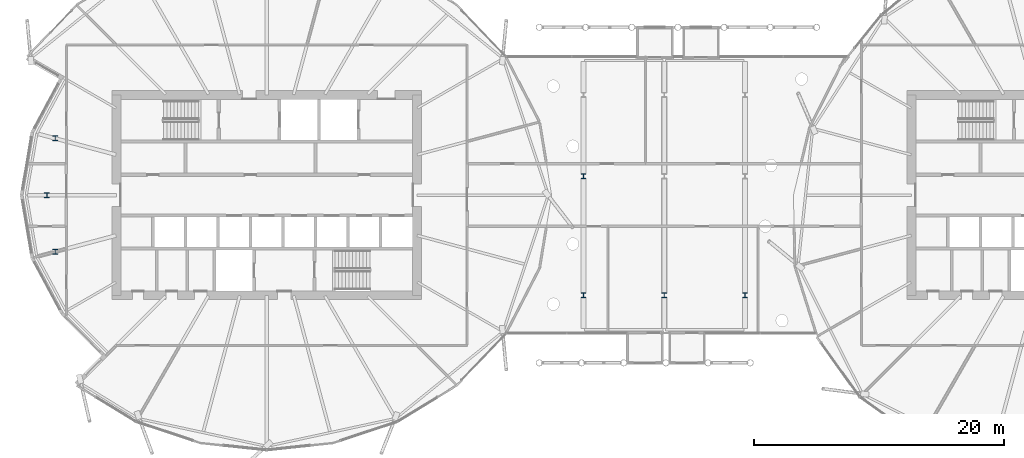
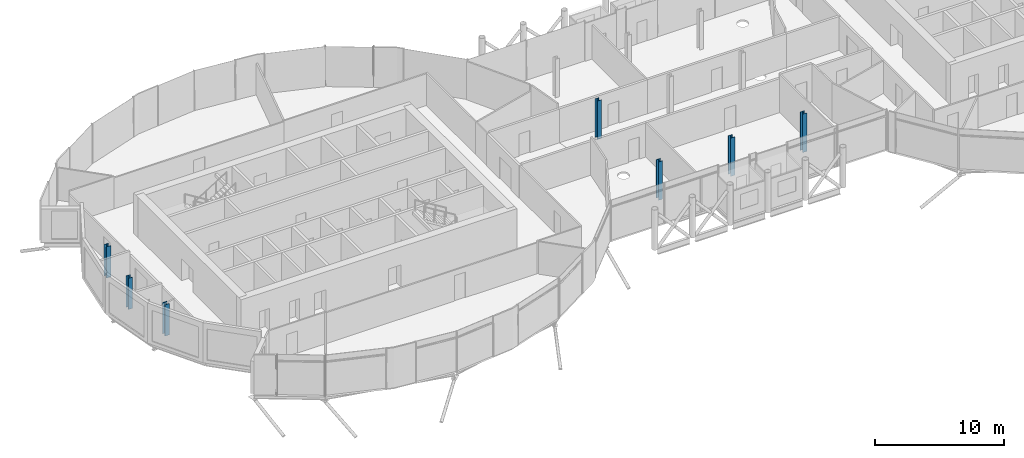
# One storey, part 1 of 39: 7 columns.
"""IFC4 building model written with IfcOpenShell, lengths in metres."""

from ifc_helpers import new_model, si_unit, direction, frame, origin, origin_2d, place, context, subcontext, project, spatial, i_section, extrude, material, material_profile, profile_set, type_object, element, save


model = new_model("IFC4")

# Units and contexts
model_context = context("Model", 3, precision=1e-05, world=origin(), true_north=direction((0.0, 1.0)))
body_context = subcontext(model_context, "Body", "Model", "MODEL_VIEW")
ifc_project = project(units=[si_unit("LENGTHUNIT", "METRE"), si_unit("AREAUNIT", "SQUARE_METRE"), si_unit("VOLUMEUNIT", "CUBIC_METRE"), si_unit("PLANEANGLEUNIT", "RADIAN"), si_unit("MASSUNIT", "GRAM", prefix="KILO")], contexts=[model_context])

# Site, building, storey
site_placement = place(None, origin())
site = spatial("IfcSite", under=ifc_project, at=site_placement, CompositionType="ELEMENT")
building_placement = place(site_placement, origin())
building = spatial("IfcBuilding", under=site, at=building_placement, Name="Rimbun Link Towers", CompositionType="ELEMENT")
storey_placement = place(building_placement, frame((0.0, 0.0, 139.199951171875)))
storey = spatial("IfcBuildingStorey", under=building, at=storey_placement, Name="L33", CompositionType="ELEMENT", Elevation=139.199951171875)

# Columns
ifc_material_1 = material(Name="Steel S355J2", Category="steel")
ifc_material_profile_1 = material_profile(ifc_material_1, i_section(OverallWidth=0.374755859375, OverallDepth=0.37451171875, WebThickness=0.0166015625, FlangeThickness=0.027099609375, at=origin_2d()), Name="UKC 356x368x202")
ifc_profile_set_1 = profile_set([ifc_material_profile_1], Name="Steel S355J2")
column_type_1 = type_object("IfcColumnType", Name="Link column UKC 356x368x202", PredefinedType="COLUMN", material=ifc_profile_set_1)
for number, where, z_axis, x_axis, name in (
    (1, (-6.449951171875, -8.0, 0.0), (0.0, 0.0, 1.0), (1.0, 0.0, 0.0), "Link column L33 1-1"),
    (2, (-6.449951171875, 1.5, 0.0), (0.0, 0.0, 1.0), (1.0, 0.0, 0.0), "Link column L33 2-1"),
    (3, (0.0, -8.0, 0.0), (0.0, 0.0, 1.0), (1.0, 0.0, 0.0), "Link column L33 1-2"),
    (4, (6.449951171875, -8.0, 0.0), (0.0, 0.0, 1.0), (1.0, 0.0, 0.0), "Link column L33 1-3"),
):
    element("IfcColumn", number, at=place(storey_placement, frame(where, z_axis=z_axis, x_axis=x_axis)), inside=storey, type_object=column_type_1, Name=name, PredefinedType="COLUMN", context=body_context, shape_type="SweptSolid", body=[
        extrude(i_section(OverallWidth=0.374755859375, OverallDepth=0.37451171875, WebThickness=0.0166015625, FlangeThickness=0.027099609375, at=origin_2d()), origin(), (0.0, 0.0, 1.0), 3.64013671875),
    ])
ifc_material_2 = material(Name="Steel S355J2", Category="steel")
ifc_material_profile_2 = material_profile(ifc_material_2, i_section(OverallWidth=0.39892578125, OverallDepth=0.3935546875, WebThickness=0.022705078125, FlangeThickness=0.03662109375, at=origin_2d()), Name="UC 356x406x287")
ifc_profile_set_2 = profile_set([ifc_material_profile_2], Name="Steel S355J2")
column_type_2 = type_object("IfcColumnType", Name="UC 356x406x287", PredefinedType="COLUMN", material=ifc_profile_set_2)
for number, where, z_axis, x_axis, name in (
    (5, (-48.638916015625, 4.525390625, -0.179931640625), (0.0, 0.0, 1.0), (1.0, 0.0, 0.0), "Crease post T1 L33 11"),
    (6, (-49.298095703125, 0.0, -0.179931640625), (0.0, 0.0, 1.0), (1.0, 0.0, 0.0), "Crease post T1 L33 12"),
    (7, (-48.638916015625, -4.525390625, -0.179931640625), (0.0, 0.0, 1.0), (1.0, 0.0, 0.0), "Crease post T1 L33 13"),
):
    element("IfcColumn", number, at=place(storey_placement, frame(where, z_axis=z_axis, x_axis=x_axis)), inside=storey, type_object=column_type_2, Name=name, PredefinedType="COLUMN", context=body_context, shape_type="SweptSolid", body=[
        extrude(i_section(OverallWidth=0.39892578125, OverallDepth=0.3935546875, WebThickness=0.022705078125, FlangeThickness=0.03662109375, at=origin_2d()), origin(), (0.0, 0.0, 1.0), 2.959228515625),
    ])

save(model, "model.ifc")
